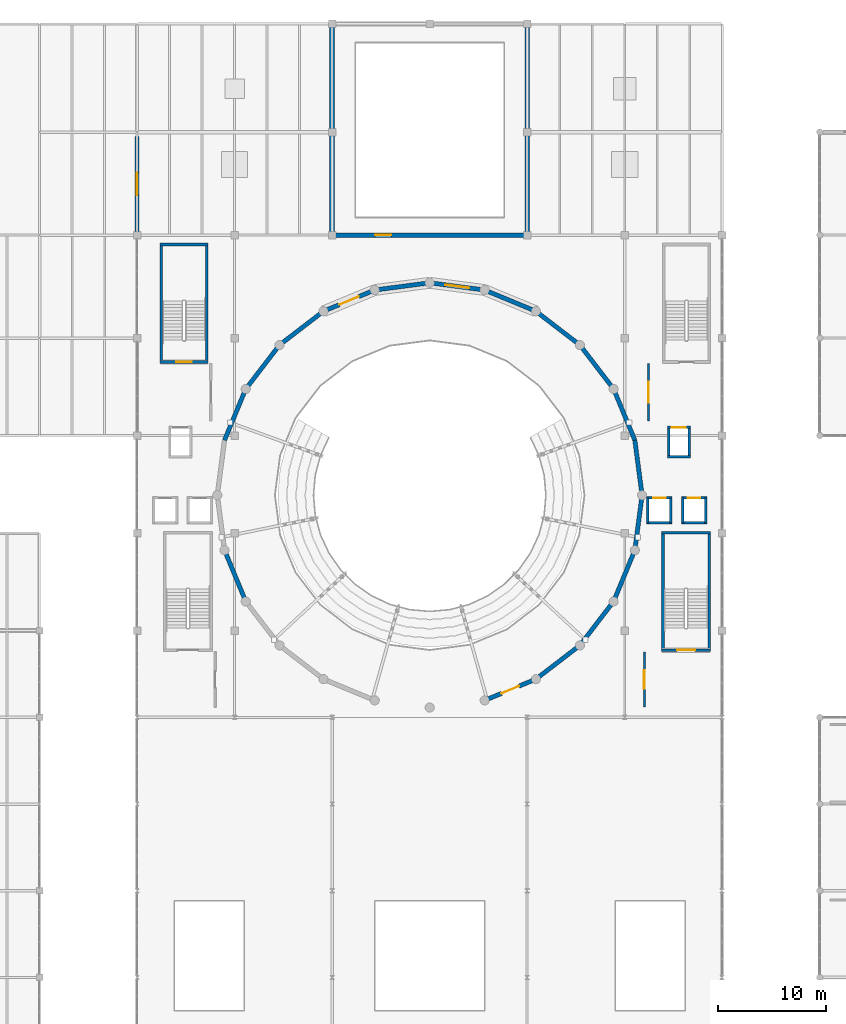
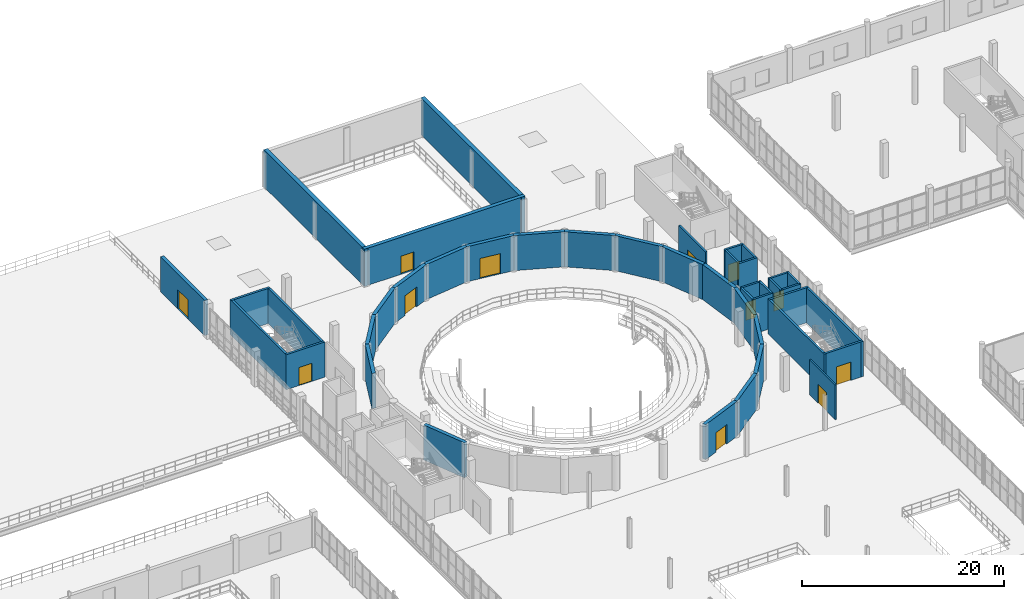
# One storey, part 57 of 73: 43 walls, 12 doors, 12 openings.
"""IFC4 building model written with IfcOpenShell, lengths in metres."""

from ifc_helpers import new_model, si_unit, direction, frame, frame_2d, origin, place, context, subcontext, project, spatial, rectangle, extrude, material, layer, layer_set, type_object, element, fill, save


model = new_model("IFC4")

# Units and contexts
model_context = context("Model", 3, precision=1e-05, world=origin(), true_north=direction((0.0, 1.0)))
body_context = subcontext(model_context, "Body", "Model", "MODEL_VIEW")
ifc_project = project(units=[si_unit("LENGTHUNIT", "METRE"), si_unit("AREAUNIT", "SQUARE_METRE"), si_unit("VOLUMEUNIT", "CUBIC_METRE"), si_unit("PLANEANGLEUNIT", "RADIAN"), si_unit("MASSUNIT", "GRAM", prefix="KILO")], contexts=[model_context])

# Site, building, storey
site_placement = place(None, origin())
site = spatial("IfcSite", under=ifc_project, at=site_placement, CompositionType="ELEMENT")
building_placement = place(site_placement, origin())
building = spatial("IfcBuilding", under=site, at=building_placement, Name="Marnock Terrace Opera House", CompositionType="ELEMENT")
storey_placement = place(building_placement, frame((0.0, 0.0, 14.699951171875)))
storey = spatial("IfcBuildingStorey", under=building, at=storey_placement, Name="L03", CompositionType="ELEMENT", Elevation=14.699951171875)

# Wall, opening, door
ifc_material_1 = material(Name="Basket Range sandstone ashlar masonry", Category="masonry")
ifc_layer_1 = layer(ifc_material_1, 0.364990234375)
ifc_layer_set_1 = layer_set([ifc_layer_1], Name="Basket Range sandstone ashlar masonry")
wall_type_1 = type_object("IfcWallType", Name="EW-ASHLAR-365", PredefinedType="SOLIDWALL", material=ifc_layer_set_1)
wall_1_placement = place(storey_placement, frame((55.0, 84.845947265625, 0.0), z_axis=(0.0, 0.0, 1.0), x_axis=(0.0, 1.0, 0.0)))
wall_1 = element("IfcWall", 1, at=wall_1_placement, inside=storey, type_object=wall_type_1, Name="L03 Stage Foyer access wall to Workshops Roof Garden", PredefinedType="SOLIDWALL", context=body_context, shape_type="SweptSolid", body=[
    extrude(rectangle(XDim=8.754150390625, YDim=0.364990234375, at=frame_2d((4.376953125, 0.0))), origin(), (0.0, 0.0, 1.0), 4.25),
])
opening_1_placement = place(wall_1_placement, frame((3.35205078125, 0.0, 0.0)))
opening_1 = element("IfcOpeningElement", 2, at=opening_1_placement, cuts=wall_1, Name="Opening TD-02", PredefinedType="OPENING", context=body_context, shape_type="SweptSolid", body=[
    extrude(rectangle(XDim=2.050048828125, YDim=2.320068359375, at=frame_2d((1.02490234375, 1.16015625))), frame((0.0, 0.1923828125, 0.0), z_axis=(0.0, -1.0, 0.0), x_axis=(1.0, 0.0, 0.0)), (0.0, 0.0, 1.0), 0.385009765625),
])
ifc_material_2 = material(Name="Anodised architectural bronze aluminium framing", Category="aluminium")
door_type_1 = type_object("IfcDoorType", Name="DT-TERR-2050", OperationType="NOTDEFINED", PredefinedType="DOOR", material=ifc_material_2)
door_1_placement = place(opening_1_placement, origin())
door_1 = element("IfcDoor", 3, at=door_1_placement, inside=storey, type_object=door_type_1, Name="Exterior door TD-02", OperationType="DOUBLE_DOOR_SINGLE_SWING", OverallHeight=2.320068359375, OverallWidth=2.050048828125, PredefinedType="DOOR", context=body_context, shape_type="SweptSolid", body=[
    extrude(rectangle(XDim=2.050048828125, YDim=2.320068359375, at=frame_2d((1.02490234375, 1.16015625))), frame((0.0, 0.02490234375, 0.0), z_axis=(0.0, -1.0, 0.0), x_axis=(1.0, 0.0, 0.0)), (0.0, 0.0, 1.0), 0.050048828125),
])
fill(opening_1, door_1)

ifc_material_3 = material(Name="Rendered acoustic concrete blockwork", Category="masonry")
ifc_layer_2 = layer(ifc_material_3, 0.18505859375)
ifc_layer_set_2 = layer_set([ifc_layer_2], Name="Rendered acoustic concrete blockwork")
wall_type_2 = type_object("IfcWallType", Name="IW-FIRE-185", PredefinedType="PARTITIONING", material=ifc_layer_set_2)
wall_2_placement = place(storey_placement, frame((101.800048828125, 40.949951171875, 0.0), z_axis=(0.0, 0.0, 1.0), x_axis=(0.0, 1.0, 0.0)))
wall_2 = element("IfcWall", 4, at=wall_2_placement, inside=storey, type_object=wall_type_2, Name="L03 C2 fire-rated lift and stair lobby wall", PredefinedType="PARTITIONING", context=body_context, shape_type="SweptSolid", body=[
    extrude(rectangle(XDim=5.10009765625, YDim=0.18505859375, at=frame_2d((2.550048828125, 0.0))), origin(), (0.0, 0.0, 1.0), 4.199951171875),
])
opening_2_placement = place(wall_2_placement, frame((1.7099609375, 0.0, 0.0)))
opening_2 = element("IfcOpeningElement", 5, at=opening_2_placement, cuts=wall_2, Name="Opening FD-C2-L03", PredefinedType="OPENING", context=body_context, shape_type="SweptSolid", body=[
    extrude(rectangle(XDim=1.679931640625, YDim=2.25, at=frame_2d((0.83984375, 1.125))), frame((0.0, 0.1025390625, 0.0), z_axis=(0.0, -1.0, 0.0), x_axis=(1.0, 0.0, 0.0)), (0.0, 0.0, 1.0), 0.205078125),
])
ifc_material_4 = material(Name="Fire-rated acoustic timber-core door assembly", Category="wood")
door_type_2 = type_object("IfcDoorType", Name="DT-LOBBY-1680", OperationType="NOTDEFINED", PredefinedType="DOOR", material=ifc_material_4)
door_2_placement = place(opening_2_placement, origin())
door_2 = element("IfcDoor", 6, at=door_2_placement, inside=storey, type_object=door_type_2, Name="L03 C2 lobby self-closing smoke door", OperationType="SINGLE_SWING_RIGHT", OverallHeight=2.25, OverallWidth=1.679931640625, PredefinedType="DOOR", context=body_context, shape_type="SweptSolid", body=[
    extrude(rectangle(XDim=1.679931640625, YDim=2.25, at=frame_2d((0.83984375, 1.125))), frame((0.0, 0.02490234375, 0.0), z_axis=(0.0, -1.0, 0.0), x_axis=(1.0, 0.0, 0.0)), (0.0, 0.0, 1.0), 0.050048828125),
])
fill(opening_2, door_2)

ifc_layer_3 = layer(ifc_material_3, 0.195068359375)
ifc_layer_set_3 = layer_set([ifc_layer_3], Name="Rendered acoustic concrete blockwork")
wall_type_3 = type_object("IfcWallType", Name="IW-FIRE-195", PredefinedType="PARTITIONING", material=ifc_layer_set_3)
wall_3_placement = place(storey_placement, frame((102.199951171875, 67.35009765625, 0.0), z_axis=(0.0, 0.0, 1.0), x_axis=(0.0, 1.0, 0.0)))
wall_3 = element("IfcWall", 7, at=wall_3_placement, inside=storey, type_object=wall_type_3, Name="L03 C4 fire-rated lift and stair lobby wall", PredefinedType="PARTITIONING", context=body_context, shape_type="SweptSolid", body=[
    extrude(rectangle(XDim=5.2998046875, YDim=0.195068359375, at=frame_2d((2.64990234375, 0.0))), origin(), (0.0, 0.0, 1.0), 4.199951171875),
])
opening_3_placement = place(wall_3_placement, frame((1.699951171875, 0.0, 0.0)))
opening_3 = element("IfcOpeningElement", 8, at=opening_3_placement, cuts=wall_3, Name="Opening FD-C4-L03", PredefinedType="OPENING", context=body_context, shape_type="SweptSolid", body=[
    extrude(rectangle(XDim=1.89990234375, YDim=2.300048828125, at=frame_2d((0.949951171875, 1.14990234375))), frame((0.0, 0.107421875, 0.0), z_axis=(0.0, -1.0, 0.0), x_axis=(1.0, 0.0, 0.0)), (0.0, 0.0, 1.0), 0.215087890625),
])
door_type_3 = type_object("IfcDoorType", Name="DT-LOBBY-1900", OperationType="NOTDEFINED", PredefinedType="DOOR", material=ifc_material_4)
door_3_placement = place(opening_3_placement, origin())
door_3 = element("IfcDoor", 9, at=door_3_placement, inside=storey, type_object=door_type_3, Name="L03 C4 lobby self-closing smoke door", OperationType="SINGLE_SWING_RIGHT", OverallHeight=2.300048828125, OverallWidth=1.89990234375, PredefinedType="DOOR", context=body_context, shape_type="SweptSolid", body=[
    extrude(rectangle(XDim=1.89990234375, YDim=2.300048828125, at=frame_2d((0.949951171875, 1.14990234375))), frame((0.0, 0.02490234375, 0.0), z_axis=(0.0, -1.0, 0.0), x_axis=(1.0, 0.0, 0.0)), (0.0, 0.0, 1.0), 0.050048828125),
])
fill(opening_3, door_3)

ifc_layer_4 = layer(ifc_material_3, 0.22509765625)
ifc_layer_set_4 = layer_set([ifc_layer_4], Name="Rendered acoustic concrete blockwork")
wall_type_4 = type_object("IfcWallType", Name="IW-SHAFT-225", PredefinedType="SOLIDWALL", material=ifc_layer_set_4)
wall_4_placement = place(storey_placement, frame((102.027587890625, 60.260009765625, 0.0), z_axis=(0.0, 0.0, 1.0), x_axis=(1.0, 0.0, 0.0)))
wall_4 = element("IfcWall", 10, at=wall_4_placement, inside=storey, type_object=wall_type_4, Name="L03 Lift PL-03 front shaft wall", PredefinedType="SOLIDWALL", context=body_context, shape_type="SweptSolid", body=[
    extrude(rectangle(XDim=2.344970703125, YDim=0.22509765625, at=frame_2d((1.17236328125, 0.0))), origin(), (0.0, 0.0, 1.0), 4.199951171875),
])
opening_4_placement = place(wall_4_placement, frame((0.597412109375, 0.0, 0.0)))
opening_4 = element("IfcOpeningElement", 11, at=opening_4_placement, cuts=wall_4, Name="Opening LD-PL-03-L03", PredefinedType="OPENING", context=body_context, shape_type="SweptSolid", body=[
    extrude(rectangle(XDim=1.14990234375, YDim=2.199951171875, at=frame_2d((0.574951171875, 1.10009765625))), frame((0.0, 0.12255859375, 0.0), z_axis=(0.0, -1.0, 0.0), x_axis=(1.0, 0.0, 0.0)), (0.0, 0.0, 1.0), 0.2451171875),
])
ifc_material_5 = material(Name="Brushed stainless steel landing door assembly", Category="steel")
door_type_4 = type_object("IfcDoorType", Name="DT-LIFT-1150", OperationType="NOTDEFINED", PredefinedType="DOOR", material=ifc_material_5)
door_4_placement = place(opening_4_placement, origin())
door_4 = element("IfcDoor", 12, at=door_4_placement, inside=storey, type_object=door_type_4, Name="L03 Lift PL-03 sliding landing door", OperationType="DOUBLE_DOOR_SLIDING", OverallHeight=2.199951171875, OverallWidth=1.14990234375, PredefinedType="DOOR", context=body_context, shape_type="SweptSolid", body=[
    extrude(rectangle(XDim=1.14990234375, YDim=2.199951171875, at=frame_2d((0.574951171875, 1.10009765625))), frame((0.0, 0.02490234375, 0.0), z_axis=(0.0, -1.0, 0.0), x_axis=(1.0, 0.0, 0.0)), (0.0, 0.0, 1.0), 0.050048828125),
])
fill(opening_4, door_4)

# Walls
wall_5_placement = place(storey_placement, frame((102.027587890625, 57.93994140625, 0.0), z_axis=(0.0, 0.0, 1.0), x_axis=(1.0, 0.0, 0.0)))
element("IfcWall", 13, at=wall_5_placement, inside=storey, type_object=wall_type_4, Name="L03 Lift PL-03 rear shaft wall", PredefinedType="SOLIDWALL", context=body_context, shape_type="SweptSolid", body=[
    extrude(rectangle(XDim=2.344970703125, YDim=0.22509765625, at=frame_2d((1.17236328125, 0.0))), origin(), (0.0, 0.0, 1.0), 4.199951171875),
])
for number, where, z_axis, x_axis, name in (
    (14, (102.139892578125, 57.93994140625, 0.0), (0.0, 0.0, 1.0), (0.0, 1.0, 0.0), "L03 Lift PL-03 west shaft wall"),
    (15, (104.260009765625, 57.93994140625, 0.0), (0.0, 0.0, 1.0), (0.0, 1.0, 0.0), "L03 Lift PL-03 east shaft wall"),
):
    element("IfcWall", number, at=place(storey_placement, frame(where, z_axis=z_axis, x_axis=x_axis)), inside=storey, type_object=wall_type_4, Name=name, PredefinedType="SOLIDWALL", context=body_context, shape_type="SweptSolid", body=[
        extrude(rectangle(XDim=2.320068359375, YDim=0.22509765625, at=frame_2d((1.16015625, 0.0))), origin(), (0.0, 0.0, 1.0), 4.199951171875),
    ])

# Wall, opening, door
wall_6_placement = place(storey_placement, frame((105.2275390625, 60.260009765625, 0.0), z_axis=(0.0, 0.0, 1.0), x_axis=(1.0, 0.0, 0.0)))
wall_6 = element("IfcWall", 16, at=wall_6_placement, inside=storey, type_object=wall_type_4, Name="L03 Lift PL-04 front shaft wall", PredefinedType="SOLIDWALL", context=body_context, shape_type="SweptSolid", body=[
    extrude(rectangle(XDim=2.344970703125, YDim=0.22509765625, at=frame_2d((1.17236328125, 0.0))), origin(), (0.0, 0.0, 1.0), 4.199951171875),
])
opening_5_placement = place(wall_6_placement, frame((0.597412109375, 0.0, 0.0)))
opening_5 = element("IfcOpeningElement", 17, at=opening_5_placement, cuts=wall_6, Name="Opening LD-PL-04-L03", PredefinedType="OPENING", context=body_context, shape_type="SweptSolid", body=[
    extrude(rectangle(XDim=1.14990234375, YDim=2.199951171875, at=frame_2d((0.574951171875, 1.10009765625))), frame((0.0, 0.12255859375, 0.0), z_axis=(0.0, -1.0, 0.0), x_axis=(1.0, 0.0, 0.0)), (0.0, 0.0, 1.0), 0.2451171875),
])
door_5_placement = place(opening_5_placement, origin())
door_5 = element("IfcDoor", 18, at=door_5_placement, inside=storey, type_object=door_type_4, Name="L03 Lift PL-04 sliding landing door", OperationType="DOUBLE_DOOR_SLIDING", OverallHeight=2.199951171875, OverallWidth=1.14990234375, PredefinedType="DOOR", context=body_context, shape_type="SweptSolid", body=[
    extrude(rectangle(XDim=1.14990234375, YDim=2.199951171875, at=frame_2d((0.574951171875, 1.10009765625))), frame((0.0, 0.02490234375, 0.0), z_axis=(0.0, -1.0, 0.0), x_axis=(1.0, 0.0, 0.0)), (0.0, 0.0, 1.0), 0.050048828125),
])
fill(opening_5, door_5)

# Walls
wall_7_placement = place(storey_placement, frame((105.2275390625, 57.93994140625, 0.0), z_axis=(0.0, 0.0, 1.0), x_axis=(1.0, 0.0, 0.0)))
element("IfcWall", 19, at=wall_7_placement, inside=storey, type_object=wall_type_4, Name="L03 Lift PL-04 rear shaft wall", PredefinedType="SOLIDWALL", context=body_context, shape_type="SweptSolid", body=[
    extrude(rectangle(XDim=2.344970703125, YDim=0.22509765625, at=frame_2d((1.17236328125, 0.0))), origin(), (0.0, 0.0, 1.0), 4.199951171875),
])
for number, where, z_axis, x_axis, name in (
    (20, (105.340087890625, 57.93994140625, 0.0), (0.0, 0.0, 1.0), (0.0, 1.0, 0.0), "L03 Lift PL-04 west shaft wall"),
    (21, (107.4599609375, 57.93994140625, 0.0), (0.0, 0.0, 1.0), (0.0, 1.0, 0.0), "L03 Lift PL-04 east shaft wall"),
):
    element("IfcWall", number, at=place(storey_placement, frame(where, z_axis=z_axis, x_axis=x_axis)), inside=storey, type_object=wall_type_4, Name=name, PredefinedType="SOLIDWALL", context=body_context, shape_type="SweptSolid", body=[
        extrude(rectangle(XDim=2.320068359375, YDim=0.22509765625, at=frame_2d((1.16015625, 0.0))), origin(), (0.0, 0.0, 1.0), 4.199951171875),
    ])

# Wall, opening, door
wall_8_placement = place(storey_placement, frame((103.927490234375, 66.760009765625, 0.0), z_axis=(0.0, 0.0, 1.0), x_axis=(1.0, 0.0, 0.0)))
wall_8 = element("IfcWall", 22, at=wall_8_placement, inside=storey, type_object=wall_type_4, Name="L03 Lift EL-02 front shaft wall", PredefinedType="SOLIDWALL", context=body_context, shape_type="SweptSolid", body=[
    extrude(rectangle(XDim=2.14501953125, YDim=0.22509765625, at=frame_2d((1.072509765625, 0.0))), origin(), (0.0, 0.0, 1.0), 4.199951171875),
])
opening_6_placement = place(wall_8_placement, frame((0.422607421875, 0.0, 0.0)))
opening_6 = element("IfcOpeningElement", 23, at=opening_6_placement, cuts=wall_8, Name="Opening LD-EL-02-L03", PredefinedType="OPENING", context=body_context, shape_type="SweptSolid", body=[
    extrude(rectangle(XDim=1.300048828125, YDim=2.25, at=frame_2d((0.64990234375, 1.125))), frame((0.0, 0.12255859375, 0.0), z_axis=(0.0, -1.0, 0.0), x_axis=(1.0, 0.0, 0.0)), (0.0, 0.0, 1.0), 0.2451171875),
])
door_type_5 = type_object("IfcDoorType", Name="DT-LIFT-1300", OperationType="NOTDEFINED", PredefinedType="DOOR", material=ifc_material_5)
door_6_placement = place(opening_6_placement, origin())
door_6 = element("IfcDoor", 24, at=door_6_placement, inside=storey, type_object=door_type_5, Name="L03 Lift EL-02 sliding landing door", OperationType="DOUBLE_DOOR_SLIDING", OverallHeight=2.25, OverallWidth=1.300048828125, PredefinedType="DOOR", context=body_context, shape_type="SweptSolid", body=[
    extrude(rectangle(XDim=1.300048828125, YDim=2.25, at=frame_2d((0.64990234375, 1.125))), frame((0.0, 0.02490234375, 0.0), z_axis=(0.0, -1.0, 0.0), x_axis=(1.0, 0.0, 0.0)), (0.0, 0.0, 1.0), 0.050048828125),
])
fill(opening_6, door_6)

# Walls
wall_9_placement = place(storey_placement, frame((103.927490234375, 64.0400390625, 0.0), z_axis=(0.0, 0.0, 1.0), x_axis=(1.0, 0.0, 0.0)))
element("IfcWall", 25, at=wall_9_placement, inside=storey, type_object=wall_type_4, Name="L03 Lift EL-02 rear shaft wall", PredefinedType="SOLIDWALL", context=body_context, shape_type="SweptSolid", body=[
    extrude(rectangle(XDim=2.14501953125, YDim=0.22509765625, at=frame_2d((1.072509765625, 0.0))), origin(), (0.0, 0.0, 1.0), 4.199951171875),
])
for number, where, z_axis, x_axis, name in (
    (26, (104.0400390625, 64.0400390625, 0.0), (0.0, 0.0, 1.0), (0.0, 1.0, 0.0), "L03 Lift EL-02 west shaft wall"),
    (27, (105.9599609375, 64.0400390625, 0.0), (0.0, 0.0, 1.0), (0.0, 1.0, 0.0), "L03 Lift EL-02 east shaft wall"),
):
    element("IfcWall", number, at=place(storey_placement, frame(where, z_axis=z_axis, x_axis=x_axis)), inside=storey, type_object=wall_type_4, Name=name, PredefinedType="SOLIDWALL", context=body_context, shape_type="SweptSolid", body=[
        extrude(rectangle(XDim=2.719970703125, YDim=0.22509765625, at=frame_2d((1.35986328125, 0.0))), origin(), (0.0, 0.0, 1.0), 4.199951171875),
    ])

# Wall, opening, door
ifc_material_6 = material(Name="Concrete N40 (f'c = 40 MPa)", Category="concrete")
ifc_layer_5 = layer(ifc_material_6, 0.25)
ifc_layer_set_5 = layer_set([ifc_layer_5], Name="Concrete N40 (f'c = 40 MPa)")
wall_type_5 = type_object("IfcWallType", Name="SW-CORE-250", PredefinedType="SHEAR", material=ifc_layer_set_5)
wall_10_placement = place(storey_placement, frame((103.39501953125, 46.199951171875, 0.0), z_axis=(0.0, 0.0, 1.0), x_axis=(1.0, 0.0, 0.0)))
wall_10 = element("IfcWall", 28, at=wall_10_placement, inside=storey, type_object=wall_type_5, Name="L03 Core C2 FRL 120/120/120 shear wall S", PredefinedType="SHEAR", context=body_context, shape_type="SweptSolid", body=[
    extrude(rectangle(XDim=4.530029296875, YDim=0.25, at=frame_2d((2.26513671875, 0.0))), origin(), (0.0, 0.0, 1.0), 4.25),
])
opening_7_placement = place(wall_10_placement, frame((1.43994140625, 0.0, 0.0)))
opening_7 = element("IfcOpeningElement", 29, at=opening_7_placement, cuts=wall_10, Name="Opening SD-C2-L03", PredefinedType="OPENING", context=body_context, shape_type="SweptSolid", body=[
    extrude(rectangle(XDim=1.64990234375, YDim=2.219970703125, at=frame_2d((0.824951171875, 1.10986328125))), frame((0.0, 0.135009765625, 0.0), z_axis=(0.0, -1.0, 0.0), x_axis=(1.0, 0.0, 0.0)), (0.0, 0.0, 1.0), 0.27001953125),
])
door_type_6 = type_object("IfcDoorType", Name="DT-STAIR-1650", OperationType="NOTDEFINED", PredefinedType="DOOR", material=ifc_material_4)
door_7_placement = place(opening_7_placement, origin())
door_7 = element("IfcDoor", 30, at=door_7_placement, inside=storey, type_object=door_type_6, Name="L03 Stair ST-02 fire-isolated exit door", OperationType="SINGLE_SWING_LEFT", OverallHeight=2.219970703125, OverallWidth=1.64990234375, PredefinedType="DOOR", context=body_context, shape_type="SweptSolid", body=[
    extrude(rectangle(XDim=1.64990234375, YDim=2.219970703125, at=frame_2d((0.824951171875, 1.10986328125))), frame((0.0, 0.02490234375, 0.0), z_axis=(0.0, -1.0, 0.0), x_axis=(1.0, 0.0, 0.0)), (0.0, 0.0, 1.0), 0.050048828125),
])
fill(opening_7, door_7)

# Walls
wall_11_placement = place(storey_placement, frame((103.39501953125, 57.0400390625, 0.0), z_axis=(0.0, 0.0, 1.0), x_axis=(1.0, 0.0, 0.0)))
element("IfcWall", 31, at=wall_11_placement, inside=storey, type_object=wall_type_5, Name="L03 Core C2 FRL 120/120/120 shear wall N", PredefinedType="SHEAR", context=body_context, shape_type="SweptSolid", body=[
    extrude(rectangle(XDim=4.530029296875, YDim=0.25, at=frame_2d((2.26513671875, 0.0))), origin(), (0.0, 0.0, 1.0), 4.25),
])
for number, where, z_axis, x_axis, name in (
    (32, (103.52001953125, 46.074951171875, 0.0), (0.0, 0.0, 1.0), (0.0, 1.0, 0.0), "L03 Core C2 FRL 120/120/120 shear wall W"),
    (33, (107.800048828125, 46.074951171875, 0.0), (0.0, 0.0, 1.0), (0.0, 1.0, 0.0), "L03 Core C2 FRL 120/120/120 shear wall E"),
):
    element("IfcWall", number, at=place(storey_placement, frame(where, z_axis=z_axis, x_axis=x_axis)), inside=storey, type_object=wall_type_5, Name=name, PredefinedType="SHEAR", context=body_context, shape_type="SweptSolid", body=[
        extrude(rectangle(XDim=11.090087890625, YDim=0.25, at=frame_2d((5.544921875, 0.0))), origin(), (0.0, 0.0, 1.0), 4.25),
    ])

# Wall, opening, door
wall_12_placement = place(storey_placement, frame((57.114990234375, 72.800048828125, 0.0), z_axis=(0.0, 0.0, 1.0), x_axis=(1.0, 0.0, 0.0)))
wall_12 = element("IfcWall", 34, at=wall_12_placement, inside=storey, type_object=wall_type_5, Name="L03 Core C3 FRL 120/120/120 shear wall S", PredefinedType="SHEAR", context=body_context, shape_type="SweptSolid", body=[
    extrude(rectangle(XDim=4.449951171875, YDim=0.25, at=frame_2d((2.22509765625, 0.0))), origin(), (0.0, 0.0, 1.0), 4.25),
])
opening_8_placement = place(wall_12_placement, frame((1.5, 0.0, 0.0)))
opening_8 = element("IfcOpeningElement", 35, at=opening_8_placement, cuts=wall_12, Name="Opening SD-C3-L03", PredefinedType="OPENING", context=body_context, shape_type="SweptSolid", body=[
    extrude(rectangle(XDim=1.449951171875, YDim=2.199951171875, at=frame_2d((0.72509765625, 1.10009765625))), frame((0.0, 0.135009765625, 0.0), z_axis=(0.0, -1.0, 0.0), x_axis=(1.0, 0.0, 0.0)), (0.0, 0.0, 1.0), 0.27001953125),
])
door_type_7 = type_object("IfcDoorType", Name="DT-STAIR-1450", OperationType="NOTDEFINED", PredefinedType="DOOR", material=ifc_material_4)
door_8_placement = place(opening_8_placement, origin())
door_8 = element("IfcDoor", 36, at=door_8_placement, inside=storey, type_object=door_type_7, Name="L03 Stair ST-03 fire-isolated exit door", OperationType="SINGLE_SWING_LEFT", OverallHeight=2.199951171875, OverallWidth=1.449951171875, PredefinedType="DOOR", context=body_context, shape_type="SweptSolid", body=[
    extrude(rectangle(XDim=1.449951171875, YDim=2.199951171875, at=frame_2d((0.72509765625, 1.10009765625))), frame((0.0, 0.02490234375, 0.0), z_axis=(0.0, -1.0, 0.0), x_axis=(1.0, 0.0, 0.0)), (0.0, 0.0, 1.0), 0.050048828125),
])
fill(opening_8, door_8)

# Walls
wall_13_placement = place(storey_placement, frame((57.114990234375, 83.639892578125, 0.0), z_axis=(0.0, 0.0, 1.0), x_axis=(1.0, 0.0, 0.0)))
element("IfcWall", 37, at=wall_13_placement, inside=storey, type_object=wall_type_5, Name="L03 Core C3 FRL 120/120/120 shear wall N", PredefinedType="SHEAR", context=body_context, shape_type="SweptSolid", body=[
    extrude(rectangle(XDim=4.449951171875, YDim=0.25, at=frame_2d((2.22509765625, 0.0))), origin(), (0.0, 0.0, 1.0), 4.25),
])
for number, where, z_axis, x_axis, name in (
    (38, (57.239990234375, 72.675048828125, 0.0), (0.0, 0.0, 1.0), (0.0, 1.0, 0.0), "L03 Core C3 FRL 120/120/120 shear wall W"),
    (39, (61.43994140625, 72.675048828125, 0.0), (0.0, 0.0, 1.0), (0.0, 1.0, 0.0), "L03 Core C3 FRL 120/120/120 shear wall E"),
):
    element("IfcWall", number, at=place(storey_placement, frame(where, z_axis=z_axis, x_axis=x_axis)), inside=storey, type_object=wall_type_5, Name=name, PredefinedType="SHEAR", context=body_context, shape_type="SweptSolid", body=[
        extrude(rectangle(XDim=11.08984375, YDim=0.25, at=frame_2d((5.544921875, 0.0))), origin(), (0.0, 0.0, 1.0), 4.25),
    ])
ifc_material_7 = material(Name="Concrete N50 (f'c = 50 MPa)", Category="concrete")
ifc_layer_6 = layer(ifc_material_7, 0.39990234375)
ifc_layer_set_6 = layer_set([ifc_layer_6], Name="Concrete N50 (f'c = 50 MPa)")
wall_type_6 = type_object("IfcWallType", Name="SW-DRUM-400", PredefinedType="SHEAR", material=ifc_layer_set_6)
wall_14_placement = place(storey_placement, frame((101.60009765625, 60.5, 0.0), z_axis=(0.0, 0.0, 1.0), x_axis=(-0.130591512704, 0.99143625958, 0.0)))
element("IfcWall", 40, at=wall_14_placement, inside=storey, type_object=wall_type_6, Name="L03 cylindrical auditorium drum shear wall 1", PredefinedType="SHEAR", context=body_context, shape_type="SweptSolid", body=[
    extrude(rectangle(XDim=5.11669921875, YDim=0.39990234375, at=frame_2d((2.558349609375, 0.0))), origin(), (0.0, 0.0, 1.0), 4.25),
])
for number, where, z_axis, x_axis, name in (
    (41, (100.931884765625, 65.572998046875, 0.0), (0.0, 0.0, 1.0), (-0.382642581018, 0.923896452635, 0.0), "L03 cylindrical auditorium drum shear wall 2"),
    (42, (98.97412109375, 70.300048828125, 0.0), (0.0, 0.0, 1.0), (-0.608857194409, 0.793279847731, 0.0), "L03 cylindrical auditorium drum shear wall 3"),
    (43, (95.85888671875, 74.35888671875, 0.0), (0.0, 0.0, 1.0), (-0.793279847731, 0.608857194409, 0.0), "L03 cylindrical auditorium drum shear wall 4"),
    (44, (91.800048828125, 77.47412109375, 0.0), (0.0, 0.0, 1.0), (-0.923896452635, 0.382642581018, 0.0), "L03 cylindrical auditorium drum shear wall 5"),
):
    element("IfcWall", number, at=place(storey_placement, frame(where, z_axis=z_axis, x_axis=x_axis)), inside=storey, type_object=wall_type_6, Name=name, PredefinedType="SHEAR", context=body_context, shape_type="SweptSolid", body=[
        extrude(rectangle(XDim=5.116455078125, YDim=0.39990234375, at=frame_2d((2.55810546875, 0.0))), origin(), (0.0, 0.0, 1.0), 4.25),
    ])

# Wall, opening, door
wall_15_placement = place(storey_placement, frame((87.072998046875, 79.431884765625, 0.0), z_axis=(0.0, 0.0, 1.0), x_axis=(-0.99143625958, 0.130591512704, 0.0)))
wall_15 = element("IfcWall", 45, at=wall_15_placement, inside=storey, type_object=wall_type_6, Name="L03 cylindrical auditorium drum shear wall 6", PredefinedType="SHEAR", context=body_context, shape_type="SweptSolid", body=[
    extrude(rectangle(XDim=5.11669921875, YDim=0.39990234375, at=frame_2d((2.558349609375, 0.0))), origin(), (0.0, 0.0, 1.0), 4.25),
])
opening_9_placement = place(wall_15_placement, frame((1.45849609375, 0.0, 0.0)))
opening_9 = element("IfcOpeningElement", 46, at=opening_9_placement, cuts=wall_15, Name="Opening AD-L03-05", PredefinedType="OPENING", context=body_context, shape_type="SweptSolid", body=[
    extrude(rectangle(XDim=2.199951171875, YDim=2.449951171875, at=frame_2d((1.10009765625, 1.22509765625))), frame((0.0, 0.2099609375, 0.0), z_axis=(0.0, -1.0, 0.0), x_axis=(1.0, 0.0, 0.0)), (0.0, 0.0, 1.0), 0.419921875),
])
ifc_material_8 = material(Name="Solid-core Tasmanian oak acoustic door leaf")
door_type_8 = type_object("IfcDoorType", Name="DT-AUD-2200", OperationType="NOTDEFINED", PredefinedType="DOOR", material=ifc_material_8)
door_9_placement = place(opening_9_placement, origin())
door_9 = element("IfcDoor", 47, at=door_9_placement, inside=storey, type_object=door_type_8, Name="L03 Auditorium sound-lock double door 5", OperationType="DOUBLE_DOOR_SINGLE_SWING", OverallHeight=2.449951171875, OverallWidth=2.199951171875, PredefinedType="DOOR", context=body_context, shape_type="SweptSolid", body=[
    extrude(rectangle(XDim=2.199951171875, YDim=2.449951171875, at=frame_2d((1.10009765625, 1.22509765625))), frame((0.0, 0.02490234375, 0.0), z_axis=(0.0, -1.0, 0.0), x_axis=(1.0, 0.0, 0.0)), (0.0, 0.0, 1.0), 0.050048828125),
])
fill(opening_9, door_9)

# Wall
wall_16_placement = place(storey_placement, frame((82.0, 80.10009765625, 0.0), z_axis=(0.0, 0.0, 1.0), x_axis=(-0.99143625958, -0.130591512704, 0.0)))
element("IfcWall", 48, at=wall_16_placement, inside=storey, type_object=wall_type_6, Name="L03 cylindrical auditorium drum shear wall 7", PredefinedType="SHEAR", context=body_context, shape_type="SweptSolid", body=[
    extrude(rectangle(XDim=5.11669921875, YDim=0.39990234375, at=frame_2d((2.558349609375, 0.0))), origin(), (0.0, 0.0, 1.0), 4.25),
])

# Wall, opening, door
wall_17_placement = place(storey_placement, frame((76.927001953125, 79.431884765625, 0.0), z_axis=(0.0, 0.0, 1.0), x_axis=(-0.923896452635, -0.382642581018, 0.0)))
wall_17 = element("IfcWall", 49, at=wall_17_placement, inside=storey, type_object=wall_type_6, Name="L03 cylindrical auditorium drum shear wall 8", PredefinedType="SHEAR", context=body_context, shape_type="SweptSolid", body=[
    extrude(rectangle(XDim=5.116455078125, YDim=0.39990234375, at=frame_2d((2.55810546875, 0.0))), origin(), (0.0, 0.0, 1.0), 4.25),
])
opening_10_placement = place(wall_17_placement, frame((1.583251953125, 0.0, 0.0)))
opening_10 = element("IfcOpeningElement", 50, at=opening_10_placement, cuts=wall_17, Name="Opening AD-L03-07", PredefinedType="OPENING", context=body_context, shape_type="SweptSolid", body=[
    extrude(rectangle(XDim=1.949951171875, YDim=2.39990234375, at=frame_2d((0.97509765625, 1.199951171875))), frame((0.0, 0.2099609375, 0.0), z_axis=(0.0, -1.0, 0.0), x_axis=(1.0, 0.0, 0.0)), (0.0, 0.0, 1.0), 0.419921875),
])
door_type_9 = type_object("IfcDoorType", Name="DT-AUD-1950", OperationType="NOTDEFINED", PredefinedType="DOOR", material=ifc_material_8)
door_10_placement = place(opening_10_placement, origin())
door_10 = element("IfcDoor", 51, at=door_10_placement, inside=storey, type_object=door_type_9, Name="L03 Auditorium sound-lock double door 7", OperationType="DOUBLE_DOOR_SINGLE_SWING", OverallHeight=2.39990234375, OverallWidth=1.949951171875, PredefinedType="DOOR", context=body_context, shape_type="SweptSolid", body=[
    extrude(rectangle(XDim=1.949951171875, YDim=2.39990234375, at=frame_2d((0.97509765625, 1.199951171875))), frame((0.0, 0.02490234375, 0.0), z_axis=(0.0, -1.0, 0.0), x_axis=(1.0, 0.0, 0.0)), (0.0, 0.0, 1.0), 0.050048828125),
])
fill(opening_10, door_10)

# Walls
for number, where, z_axis, x_axis, name in (
    (52, (72.199951171875, 77.47412109375, 0.0), (0.0, 0.0, 1.0), (-0.793279847731, -0.608857194409, 0.0), "L03 cylindrical auditorium drum shear wall 9"),
    (53, (68.14111328125, 74.35888671875, 0.0), (0.0, 0.0, 1.0), (-0.608857194409, -0.793279847731, 0.0), "L03 cylindrical auditorium drum shear wall 10"),
    (54, (65.02587890625, 70.300048828125, 0.0), (0.0, 0.0, 1.0), (-0.382642581018, -0.923896452635, 0.0), "L03 cylindrical auditorium drum shear wall 11"),
    (55, (63.068115234375, 55.427001953125, 0.0), (0.0, 0.0, 1.0), (0.382642581018, -0.923896452635, 0.0), "L03 cylindrical auditorium drum shear wall 14"),
):
    element("IfcWall", number, at=place(storey_placement, frame(where, z_axis=z_axis, x_axis=x_axis)), inside=storey, type_object=wall_type_6, Name=name, PredefinedType="SHEAR", context=body_context, shape_type="SweptSolid", body=[
        extrude(rectangle(XDim=5.116455078125, YDim=0.39990234375, at=frame_2d((2.55810546875, 0.0))), origin(), (0.0, 0.0, 1.0), 4.25),
    ])

# Wall, opening, door
wall_18_placement = place(storey_placement, frame((87.072998046875, 41.568115234375, 0.0), z_axis=(0.0, 0.0, 1.0), x_axis=(0.923896452635, 0.382642581018, 0.0)))
wall_18 = element("IfcWall", 56, at=wall_18_placement, inside=storey, type_object=wall_type_6, Name="L03 cylindrical auditorium drum shear wall 20", PredefinedType="SHEAR", context=body_context, shape_type="SweptSolid", body=[
    extrude(rectangle(XDim=5.116455078125, YDim=0.39990234375, at=frame_2d((2.55810546875, 0.0))), origin(), (0.0, 0.0, 1.0), 4.25),
])
opening_11_placement = place(wall_18_placement, frame((1.68310546875, 0.0, 0.0)))
opening_11 = element("IfcOpeningElement", 57, at=opening_11_placement, cuts=wall_18, Name="Opening AD-L03-19", PredefinedType="OPENING", context=body_context, shape_type="SweptSolid", body=[
    extrude(rectangle(XDim=1.75, YDim=2.35009765625, at=frame_2d((0.875, 1.175048828125))), frame((0.0, 0.2099609375, 0.0), z_axis=(0.0, -1.0, 0.0), x_axis=(1.0, 0.0, 0.0)), (0.0, 0.0, 1.0), 0.419921875),
])
door_type_10 = type_object("IfcDoorType", Name="DT-AUD-1750", OperationType="NOTDEFINED", PredefinedType="DOOR", material=ifc_material_8)
door_11_placement = place(opening_11_placement, origin())
door_11 = element("IfcDoor", 58, at=door_11_placement, inside=storey, type_object=door_type_10, Name="L03 Auditorium sound-lock double door 19", OperationType="DOUBLE_DOOR_SINGLE_SWING", OverallHeight=2.35009765625, OverallWidth=1.75, PredefinedType="DOOR", context=body_context, shape_type="SweptSolid", body=[
    extrude(rectangle(XDim=1.75, YDim=2.35009765625, at=frame_2d((0.875, 1.175048828125))), frame((0.0, 0.02490234375, 0.0), z_axis=(0.0, -1.0, 0.0), x_axis=(1.0, 0.0, 0.0)), (0.0, 0.0, 1.0), 0.050048828125),
])
fill(opening_11, door_11)

# Walls
for number, where, z_axis, x_axis, name in (
    (59, (91.800048828125, 43.52587890625, 0.0), (0.0, 0.0, 1.0), (0.793279847731, 0.608857194409, 0.0), "L03 cylindrical auditorium drum shear wall 21"),
    (60, (95.85888671875, 46.64111328125, 0.0), (0.0, 0.0, 1.0), (0.608857194409, 0.793279847731, 0.0), "L03 cylindrical auditorium drum shear wall 22"),
    (61, (98.97412109375, 50.699951171875, 0.0), (0.0, 0.0, 1.0), (0.382642581018, 0.923896452635, 0.0), "L03 cylindrical auditorium drum shear wall 23"),
):
    element("IfcWall", number, at=place(storey_placement, frame(where, z_axis=z_axis, x_axis=x_axis)), inside=storey, type_object=wall_type_6, Name=name, PredefinedType="SHEAR", context=body_context, shape_type="SweptSolid", body=[
        extrude(rectangle(XDim=5.116455078125, YDim=0.39990234375, at=frame_2d((2.55810546875, 0.0))), origin(), (0.0, 0.0, 1.0), 4.25),
    ])
wall_19_placement = place(storey_placement, frame((100.931884765625, 55.427001953125, 0.0), z_axis=(0.0, 0.0, 1.0), x_axis=(0.130591512704, 0.99143625958, 0.0)))
element("IfcWall", 62, at=wall_19_placement, inside=storey, type_object=wall_type_6, Name="L03 cylindrical auditorium drum shear wall 24", PredefinedType="SHEAR", context=body_context, shape_type="SweptSolid", body=[
    extrude(rectangle(XDim=5.11669921875, YDim=0.39990234375, at=frame_2d((2.558349609375, 0.0))), origin(), (0.0, 0.0, 1.0), 4.25),
])
ifc_layer_7 = layer(ifc_material_7, 0.449951171875)
ifc_layer_set_7 = layer_set([ifc_layer_7], Name="Concrete N50 (f'c = 50 MPa)")
wall_type_7 = type_object("IfcWallType", Name="SW-FLY-450", PredefinedType="SHEAR", material=ifc_layer_set_7)
for number, where, z_axis, x_axis, name in (
    (63, (73.0, 84.27490234375, 0.0), (0.0, 0.0, 1.0), (0.0, 1.0, 0.0), "L03 Fly Tower west shear wall"),
    (64, (91.0, 84.27490234375, 0.0), (0.0, 0.0, 1.0), (0.0, 1.0, 0.0), "L03 Fly Tower east shear wall"),
):
    element("IfcWall", number, at=place(storey_placement, frame(where, z_axis=z_axis, x_axis=x_axis)), inside=storey, type_object=wall_type_7, Name=name, PredefinedType="SHEAR", context=body_context, shape_type="SweptSolid", body=[
        extrude(rectangle(XDim=19.9501953125, YDim=0.449951171875, at=frame_2d((9.97509765625, 0.0))), origin(), (0.0, 0.0, 1.0), 4.5),
    ])

# Wall, opening, door
ifc_layer_8 = layer(ifc_material_7, 0.419921875)
ifc_layer_set_8 = layer_set([ifc_layer_8], Name="Concrete N50 (f'c = 50 MPa)")
wall_type_8 = type_object("IfcWallType", Name="SW-PROSC-420", PredefinedType="SHEAR", material=ifc_layer_set_8)
wall_20_placement = place(storey_placement, frame((72.77490234375, 84.5, 0.0), z_axis=(0.0, 0.0, 1.0), x_axis=(1.0, 0.0, 0.0)))
wall_20 = element("IfcWall", 65, at=wall_20_placement, inside=storey, type_object=wall_type_8, Name="L03 Fly Tower proscenium fire shear wall", PredefinedType="SHEAR", context=body_context, shape_type="SweptSolid", body=[
    extrude(rectangle(XDim=18.4501953125, YDim=0.419921875, at=frame_2d((9.22509765625, 0.0))), origin(), (0.0, 0.0, 1.0), 4.5),
])
opening_12_placement = place(wall_20_placement, frame((4.199951171875, 0.0, 0.0)))
opening_12 = element("IfcOpeningElement", 66, at=opening_12_placement, cuts=wall_20, Name="Opening FD-FLY-L03", PredefinedType="OPENING", context=body_context, shape_type="SweptSolid", body=[
    extrude(rectangle(XDim=1.5, YDim=2.199951171875, at=frame_2d((0.75, 1.10009765625))), frame((0.0, 0.219970703125, 0.0), z_axis=(0.0, -1.0, 0.0), x_axis=(1.0, 0.0, 0.0)), (0.0, 0.0, 1.0), 0.43994140625),
])
door_type_11 = type_object("IfcDoorType", Name="DT-PLANT-1500", OperationType="NOTDEFINED", PredefinedType="DOOR", material=ifc_material_4)
door_12_placement = place(opening_12_placement, origin())
door_12 = element("IfcDoor", 67, at=door_12_placement, inside=storey, type_object=door_type_11, Name="L03 Fly Tower fire-isolated egress door FD-FLY-L03", OperationType="SINGLE_SWING_LEFT", OverallHeight=2.199951171875, OverallWidth=1.5, PredefinedType="DOOR", context=body_context, shape_type="SweptSolid", body=[
    extrude(rectangle(XDim=1.5, YDim=2.199951171875, at=frame_2d((0.75, 1.10009765625))), frame((0.0, 0.02490234375, 0.0), z_axis=(0.0, -1.0, 0.0), x_axis=(1.0, 0.0, 0.0)), (0.0, 0.0, 1.0), 0.050048828125),
])
fill(opening_12, door_12)

save(model, "model.ifc")
